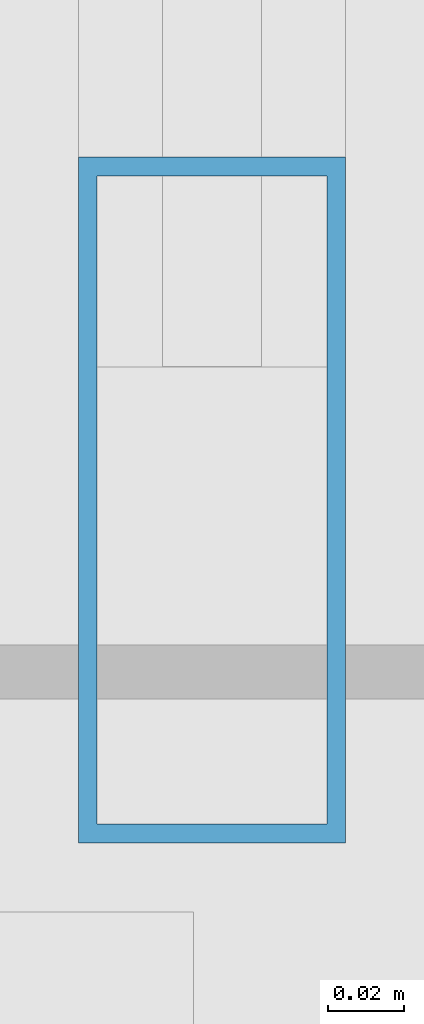
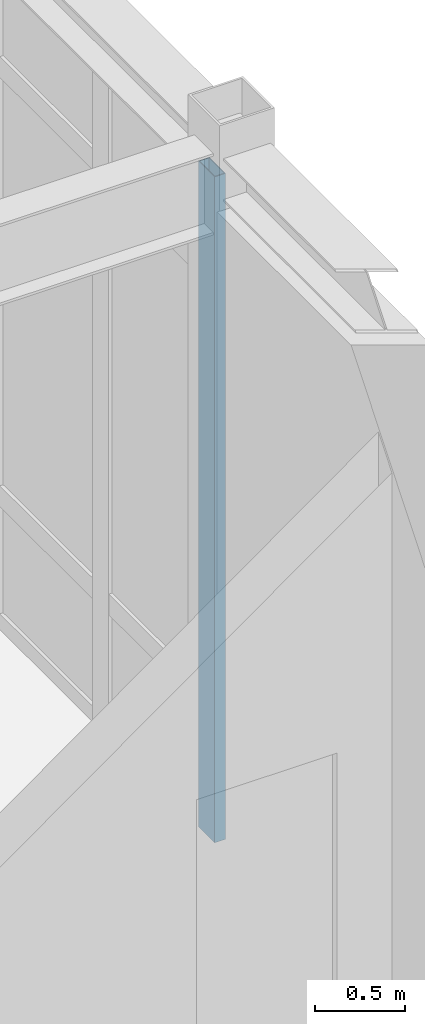
# One storey, part 66 of 109: 1 member, 1 element without a shape of its own.
"""IFC4 building model written with IfcOpenShell, lengths in metres."""

from ifc_helpers import new_model, si_unit, direction, frame, origin, origin_2d, place, context, subcontext, project, spatial, hollow_rectangle, extrude, material, layer, layer_set, material_profile, profile_set, type_object, element, aggregate, save


model = new_model("IFC4")

# Units and contexts
model_context = context("Model", 3, precision=1e-05, world=origin(), true_north=direction((0.0, 1.0)))
body_context = subcontext(model_context, "Body", "Model", "MODEL_VIEW")
ifc_project = project(units=[si_unit("LENGTHUNIT", "METRE"), si_unit("AREAUNIT", "SQUARE_METRE"), si_unit("VOLUMEUNIT", "CUBIC_METRE"), si_unit("PLANEANGLEUNIT", "RADIAN"), si_unit("MASSUNIT", "GRAM", prefix="KILO")], contexts=[model_context])

# Site, building, storey
site_placement = place(None, origin())
site = spatial("IfcSite", under=ifc_project, at=site_placement, CompositionType="ELEMENT")
building_placement = place(site_placement, origin())
building = spatial("IfcBuilding", under=site, at=building_placement, Name="Montecoro Central Library", CompositionType="ELEMENT")
storey_placement = place(building_placement, origin())
storey = spatial("IfcBuildingStorey", under=building, at=storey_placement, Name="L00", CompositionType="ELEMENT", Elevation=0.0)

# Curtain wall, member
ifc_material_1 = material(Name="Bronze-anodised aluminium and low-E glazing", Category="aluminium")
ifc_layer = layer(ifc_material_1, 0.159912109375)
ifc_layer_set = layer_set([ifc_layer], Name="Bronze-anodised aluminium and low-E glazing")
curtain_wall_type = type_object("IfcCurtainWallType", Name="CWT-058", PredefinedType="NOTDEFINED", material=ifc_layer_set)
curtain_wall_placement = place(storey_placement, origin())
curtain_wall = element("IfcCurtainWall", 1, at=curtain_wall_placement, inside=storey, type_object=curtain_wall_type, Name="V6-L00-CW-E4", PredefinedType="NOTDEFINED")
ifc_material_2 = material(Name="Bronze-anodised aluminium", Category="aluminium")
ifc_material_profile = material_profile(ifc_material_2, hollow_rectangle(XDim=0.070068359375, YDim=0.179931640625, WallThickness=0.0048828125, at=origin_2d()), Name="CWM 180x70x5.0")
ifc_profile_set = profile_set([ifc_material_profile], Name="Bronze-anodised aluminium")
member_type = type_object("IfcMemberType", Name="CWM-BRZ-70", PredefinedType="MULLION", material=ifc_profile_set)
member_placement = place(storey_placement, frame((173.0, 35.613037109375, 0.0), z_axis=(0.0, 0.0, 1.0), x_axis=(-1.0, 0.0, 0.0)))
member = element("IfcMember", 2, at=member_placement, type_object=member_type, Name="CW-058 mullion 1", PredefinedType="MULLION", context=body_context, shape_type="SweptSolid", body=[
    extrude(hollow_rectangle(XDim=0.070068359375, YDim=0.179931640625, WallThickness=0.0048828125, at=origin_2d()), origin(), (0.0, 0.0, 1.0), 4.5),
])
aggregate(curtain_wall, [member])

save(model, "model.ifc")
